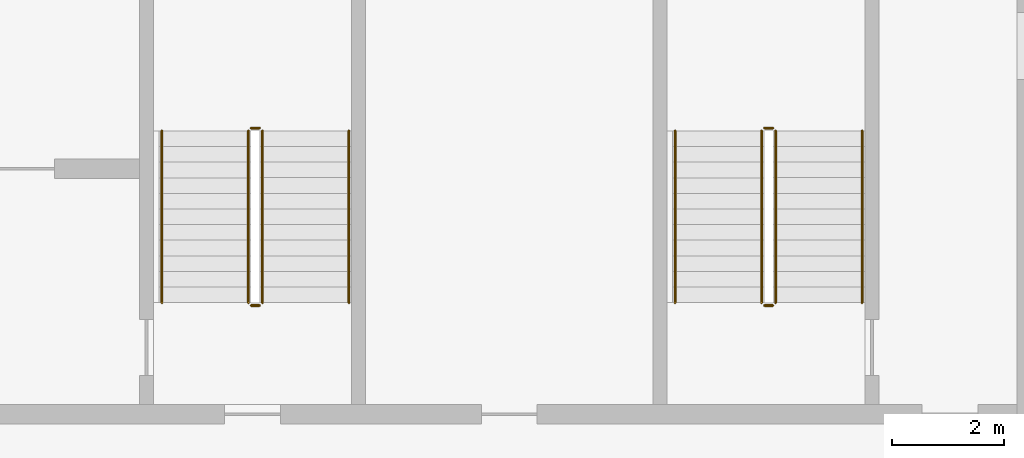
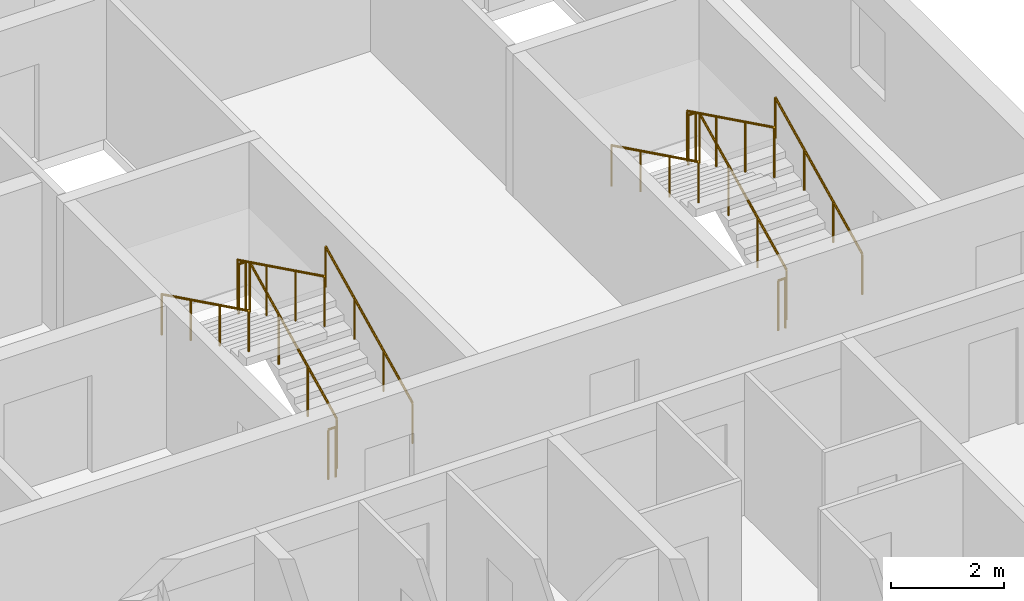
# One storey, part 14 of 26: 12 railings.
"""IFC4 building model written with IfcOpenShell, lengths in metres."""

from ifc_helpers import new_model, si_unit, direction, frame, origin, origin_2d, place, context, subcontext, project, spatial, circle, extrude, material, type_object, element, save


model = new_model("IFC4")

# Units and contexts
model_context = context("Model", 3, precision=1e-05, world=origin(), true_north=direction((0.0, 1.0)))
body_context = subcontext(model_context, "Body", "Model", "MODEL_VIEW")
ifc_project = project(units=[si_unit("LENGTHUNIT", "METRE"), si_unit("AREAUNIT", "SQUARE_METRE"), si_unit("VOLUMEUNIT", "CUBIC_METRE"), si_unit("PLANEANGLEUNIT", "RADIAN"), si_unit("MASSUNIT", "GRAM", prefix="KILO")], contexts=[model_context])

# Site, building, storey
site_placement = place(None, origin())
site = spatial("IfcSite", under=ifc_project, at=site_placement, CompositionType="ELEMENT")
building_placement = place(site_placement, origin())
building = spatial("IfcBuilding", under=site, at=building_placement, Name="Poui Terraces", CompositionType="ELEMENT")
storey_placement = place(building_placement, frame((0.0, 0.0, 221.39990234375)))
storey = spatial("IfcBuildingStorey", under=building, at=storey_placement, Name="L61", CompositionType="ELEMENT", Elevation=221.39990234375)

# Railings
ifc_material_1 = material(Name="Galvanised steel balustrade", Category="steel")
railing_type_1 = type_object("IfcRailingType", Name="STAIR GUARD 1100", PredefinedType="GUARDRAIL", material=ifc_material_1)
railing_1_placement = place(storey_placement, frame((70.27490234375, 16.60009765625, 0.1376953125)))
element("IfcRailing", 1, at=railing_1_placement, inside=storey, type_object=railing_type_1, Name="L61 ST-CE stair guard 1", PredefinedType="GUARDRAIL", context=body_context, shape_type="SweptSolid", body=[
    extrude(circle(Radius=0.02392578125, at=origin_2d()), frame((0.0, 0.0, 1.076171875), z_axis=(0.0, 0.897606190399, 0.440798283751), x_axis=(-1.0, 0.0, 0.0)), (0.0, 0.0, 1.0), 3.43115234375),
    extrude(circle(Radius=0.02099609375, at=origin_2d()), origin(), (0.0, 0.0, 1.0), 1.052001953125),
    extrude(circle(Radius=0.02099609375, at=origin_2d()), frame((0.0, 1.026611328125, 0.504150390625)), (0.0, 0.0, 1.0), 1.052001953125),
    extrude(circle(Radius=0.02099609375, at=origin_2d()), frame((0.0, 2.05322265625, 1.00830078125)), (0.0, 0.0, 1.0), 1.052001953125),
    extrude(circle(Radius=0.02099609375, at=origin_2d()), frame((0.0, 3.079833984375, 1.512451171875)), (0.0, 0.0, 1.0), 1.052001953125),
])
railing_2_placement = place(storey_placement, frame((70.22509765625, 19.72998046875, 1.650146484375)))
element("IfcRailing", 2, at=railing_2_placement, inside=storey, type_object=railing_type_1, Name="L61 ST-CE stair guard 2", PredefinedType="GUARDRAIL", context=body_context, shape_type="SweptSolid", body=[
    extrude(circle(Radius=0.02392578125, at=origin_2d()), frame((0.0, 0.0, 1.076171875), z_axis=(-1.0, 0.0, 0.0), x_axis=(0.0, -1.0, 0.0)), (0.0, 0.0, 1.0), 0.150146484375),
    extrude(circle(Radius=0.02099609375, at=origin_2d()), origin(), (0.0, 0.0, 1.0), 1.052001953125),
    extrude(circle(Radius=0.02099609375, at=origin_2d()), frame((-0.150146484375, 0.0, 0.0)), (0.0, 0.0, 1.0), 1.052001953125),
])
railing_3_placement = place(storey_placement, frame((70.02490234375, 19.679931640625, 1.78759765625)))
element("IfcRailing", 3, at=railing_3_placement, inside=storey, type_object=railing_type_1, Name="L61 ST-CE stair guard 3", PredefinedType="GUARDRAIL", context=body_context, shape_type="SweptSolid", body=[
    extrude(circle(Radius=0.02392578125, at=origin_2d()), frame((0.0, 0.0, 1.076171875), z_axis=(0.0, -0.897606190399, 0.440798283751), x_axis=(1.0, 0.0, 0.0)), (0.0, 0.0, 1.0), 3.43115234375),
    extrude(circle(Radius=0.02099609375, at=origin_2d()), origin(), (0.0, 0.0, 1.0), 1.052001953125),
    extrude(circle(Radius=0.02099609375, at=origin_2d()), frame((0.0, -1.026611328125, 0.504150390625)), (0.0, 0.0, 1.0), 1.052001953125),
    extrude(circle(Radius=0.02099609375, at=origin_2d()), frame((0.0, -2.05322265625, 1.00830078125)), (0.0, 0.0, 1.0), 1.052001953125),
    extrude(circle(Radius=0.02099609375, at=origin_2d()), frame((0.0, -3.079833984375, 1.512451171875)), (0.0, 0.0, 1.0), 1.052001953125),
])
railing_4_placement = place(storey_placement, frame((70.22509765625, 16.550048828125, 0.0)))
element("IfcRailing", 4, at=railing_4_placement, inside=storey, type_object=railing_type_1, Name="L61 ST-CE stair guard 4", PredefinedType="GUARDRAIL", context=body_context, shape_type="SweptSolid", body=[
    extrude(circle(Radius=0.02392578125, at=origin_2d()), frame((0.0, 0.0, 1.076171875), z_axis=(-1.0, 0.0, 0.0), x_axis=(0.0, -1.0, 0.0)), (0.0, 0.0, 1.0), 0.150146484375),
    extrude(circle(Radius=0.02099609375, at=origin_2d()), origin(), (0.0, 0.0, 1.0), 1.052001953125),
    extrude(circle(Radius=0.02099609375, at=origin_2d()), frame((-0.150146484375, 0.0, 0.0)), (0.0, 0.0, 1.0), 1.052001953125),
])
railing_5_placement = place(storey_placement, frame((79.47509765625, 16.60009765625, 0.1376953125)))
element("IfcRailing", 5, at=railing_5_placement, inside=storey, type_object=railing_type_1, Name="L61 ST-E stair guard 1", PredefinedType="GUARDRAIL", context=body_context, shape_type="SweptSolid", body=[
    extrude(circle(Radius=0.02392578125, at=origin_2d()), frame((0.0, 0.0, 1.076171875), z_axis=(0.0, 0.897606190399, 0.440798283751), x_axis=(-1.0, 0.0, 0.0)), (0.0, 0.0, 1.0), 3.43115234375),
    extrude(circle(Radius=0.02099609375, at=origin_2d()), origin(), (0.0, 0.0, 1.0), 1.052001953125),
    extrude(circle(Radius=0.02099609375, at=origin_2d()), frame((0.0, 1.026611328125, 0.504150390625)), (0.0, 0.0, 1.0), 1.052001953125),
    extrude(circle(Radius=0.02099609375, at=origin_2d()), frame((0.0, 2.05322265625, 1.00830078125)), (0.0, 0.0, 1.0), 1.052001953125),
    extrude(circle(Radius=0.02099609375, at=origin_2d()), frame((0.0, 3.079833984375, 1.512451171875)), (0.0, 0.0, 1.0), 1.052001953125),
])
railing_6_placement = place(storey_placement, frame((79.425048828125, 19.72998046875, 1.650146484375)))
element("IfcRailing", 6, at=railing_6_placement, inside=storey, type_object=railing_type_1, Name="L61 ST-E stair guard 2", PredefinedType="GUARDRAIL", context=body_context, shape_type="SweptSolid", body=[
    extrude(circle(Radius=0.02392578125, at=origin_2d()), frame((0.0, 0.0, 1.076171875), z_axis=(-1.0, 0.0, 0.0), x_axis=(0.0, -1.0, 0.0)), (0.0, 0.0, 1.0), 0.150146484375),
    extrude(circle(Radius=0.02099609375, at=origin_2d()), origin(), (0.0, 0.0, 1.0), 1.052001953125),
    extrude(circle(Radius=0.02099609375, at=origin_2d()), frame((-0.150146484375, 0.0, 0.0)), (0.0, 0.0, 1.0), 1.052001953125),
])
railing_7_placement = place(storey_placement, frame((79.22509765625, 19.679931640625, 1.78759765625)))
element("IfcRailing", 7, at=railing_7_placement, inside=storey, type_object=railing_type_1, Name="L61 ST-E stair guard 3", PredefinedType="GUARDRAIL", context=body_context, shape_type="SweptSolid", body=[
    extrude(circle(Radius=0.02392578125, at=origin_2d()), frame((0.0, 0.0, 1.076171875), z_axis=(0.0, -0.897606190399, 0.440798283751), x_axis=(1.0, 0.0, 0.0)), (0.0, 0.0, 1.0), 3.43115234375),
    extrude(circle(Radius=0.02099609375, at=origin_2d()), origin(), (0.0, 0.0, 1.0), 1.052001953125),
    extrude(circle(Radius=0.02099609375, at=origin_2d()), frame((0.0, -1.026611328125, 0.504150390625)), (0.0, 0.0, 1.0), 1.052001953125),
    extrude(circle(Radius=0.02099609375, at=origin_2d()), frame((0.0, -2.05322265625, 1.00830078125)), (0.0, 0.0, 1.0), 1.052001953125),
    extrude(circle(Radius=0.02099609375, at=origin_2d()), frame((0.0, -3.079833984375, 1.512451171875)), (0.0, 0.0, 1.0), 1.052001953125),
])
railing_8_placement = place(storey_placement, frame((79.425048828125, 16.550048828125, 0.0)))
element("IfcRailing", 8, at=railing_8_placement, inside=storey, type_object=railing_type_1, Name="L61 ST-E stair guard 4", PredefinedType="GUARDRAIL", context=body_context, shape_type="SweptSolid", body=[
    extrude(circle(Radius=0.02392578125, at=origin_2d()), frame((0.0, 0.0, 1.076171875), z_axis=(-1.0, 0.0, 0.0), x_axis=(0.0, -1.0, 0.0)), (0.0, 0.0, 1.0), 0.150146484375),
    extrude(circle(Radius=0.02099609375, at=origin_2d()), origin(), (0.0, 0.0, 1.0), 1.052001953125),
    extrude(circle(Radius=0.02099609375, at=origin_2d()), frame((-0.150146484375, 0.0, 0.0)), (0.0, 0.0, 1.0), 1.052001953125),
])
ifc_material_2 = material(Name="Stainless steel handrail", Category="steel")
railing_type_2 = type_object("IfcRailingType", Name="STAIR HANDRAIL 900", PredefinedType="HANDRAIL", material=ifc_material_2)
railing_9_placement = place(storey_placement, frame((71.824951171875, 16.60009765625, 0.1376953125)))
element("IfcRailing", 9, at=railing_9_placement, inside=storey, type_object=railing_type_2, Name="L61 ST-CE stair handrail 1", PredefinedType="HANDRAIL", context=body_context, shape_type="SweptSolid", body=[
    extrude(circle(Radius=0.02392578125, at=origin_2d()), frame((0.0, 0.0, 0.8759765625), z_axis=(0.0, 0.897606190399, 0.440798283751), x_axis=(-1.0, 0.0, 0.0)), (0.0, 0.0, 1.0), 3.43115234375),
    extrude(circle(Radius=0.02099609375, at=origin_2d()), origin(), (0.0, 0.0, 1.0), 0.851806640625),
    extrude(circle(Radius=0.02099609375, at=origin_2d()), frame((0.0, 1.026611328125, 0.504150390625)), (0.0, 0.0, 1.0), 0.851806640625),
    extrude(circle(Radius=0.02099609375, at=origin_2d()), frame((0.0, 2.05322265625, 1.00830078125)), (0.0, 0.0, 1.0), 0.851806640625),
    extrude(circle(Radius=0.02099609375, at=origin_2d()), frame((0.0, 3.079833984375, 1.512451171875)), (0.0, 0.0, 1.0), 0.851806640625),
])
railing_10_placement = place(storey_placement, frame((68.47509765625, 19.679931640625, 1.78759765625)))
element("IfcRailing", 10, at=railing_10_placement, inside=storey, type_object=railing_type_2, Name="L61 ST-CE stair handrail 2", PredefinedType="HANDRAIL", context=body_context, shape_type="SweptSolid", body=[
    extrude(circle(Radius=0.02392578125, at=origin_2d()), frame((0.0, 0.0, 0.8759765625), z_axis=(0.0, -0.897606190399, 0.440798283751), x_axis=(1.0, 0.0, 0.0)), (0.0, 0.0, 1.0), 3.43115234375),
    extrude(circle(Radius=0.02099609375, at=origin_2d()), origin(), (0.0, 0.0, 1.0), 0.851806640625),
    extrude(circle(Radius=0.02099609375, at=origin_2d()), frame((0.0, -1.026611328125, 0.504150390625)), (0.0, 0.0, 1.0), 0.851806640625),
    extrude(circle(Radius=0.02099609375, at=origin_2d()), frame((0.0, -2.05322265625, 1.00830078125)), (0.0, 0.0, 1.0), 0.851806640625),
    extrude(circle(Radius=0.02099609375, at=origin_2d()), frame((0.0, -3.079833984375, 1.512451171875)), (0.0, 0.0, 1.0), 0.851806640625),
])
railing_11_placement = place(storey_placement, frame((81.02490234375, 16.60009765625, 0.1376953125)))
element("IfcRailing", 11, at=railing_11_placement, inside=storey, type_object=railing_type_2, Name="L61 ST-E stair handrail 1", PredefinedType="HANDRAIL", context=body_context, shape_type="SweptSolid", body=[
    extrude(circle(Radius=0.02392578125, at=origin_2d()), frame((0.0, 0.0, 0.8759765625), z_axis=(0.0, 0.897606190399, 0.440798283751), x_axis=(-1.0, 0.0, 0.0)), (0.0, 0.0, 1.0), 3.43115234375),
    extrude(circle(Radius=0.02099609375, at=origin_2d()), origin(), (0.0, 0.0, 1.0), 0.851806640625),
    extrude(circle(Radius=0.02099609375, at=origin_2d()), frame((0.0, 1.026611328125, 0.504150390625)), (0.0, 0.0, 1.0), 0.851806640625),
    extrude(circle(Radius=0.02099609375, at=origin_2d()), frame((0.0, 2.05322265625, 1.00830078125)), (0.0, 0.0, 1.0), 0.851806640625),
    extrude(circle(Radius=0.02099609375, at=origin_2d()), frame((0.0, 3.079833984375, 1.512451171875)), (0.0, 0.0, 1.0), 0.851806640625),
])
railing_12_placement = place(storey_placement, frame((77.675048828125, 19.679931640625, 1.78759765625)))
element("IfcRailing", 12, at=railing_12_placement, inside=storey, type_object=railing_type_2, Name="L61 ST-E stair handrail 2", PredefinedType="HANDRAIL", context=body_context, shape_type="SweptSolid", body=[
    extrude(circle(Radius=0.02392578125, at=origin_2d()), frame((0.0, 0.0, 0.8759765625), z_axis=(0.0, -0.897606190399, 0.440798283751), x_axis=(1.0, 0.0, 0.0)), (0.0, 0.0, 1.0), 3.43115234375),
    extrude(circle(Radius=0.02099609375, at=origin_2d()), origin(), (0.0, 0.0, 1.0), 0.851806640625),
    extrude(circle(Radius=0.02099609375, at=origin_2d()), frame((0.0, -1.026611328125, 0.504150390625)), (0.0, 0.0, 1.0), 0.851806640625),
    extrude(circle(Radius=0.02099609375, at=origin_2d()), frame((0.0, -2.05322265625, 1.00830078125)), (0.0, 0.0, 1.0), 0.851806640625),
    extrude(circle(Radius=0.02099609375, at=origin_2d()), frame((0.0, -3.079833984375, 1.512451171875)), (0.0, 0.0, 1.0), 0.851806640625),
])

save(model, "model.ifc")
